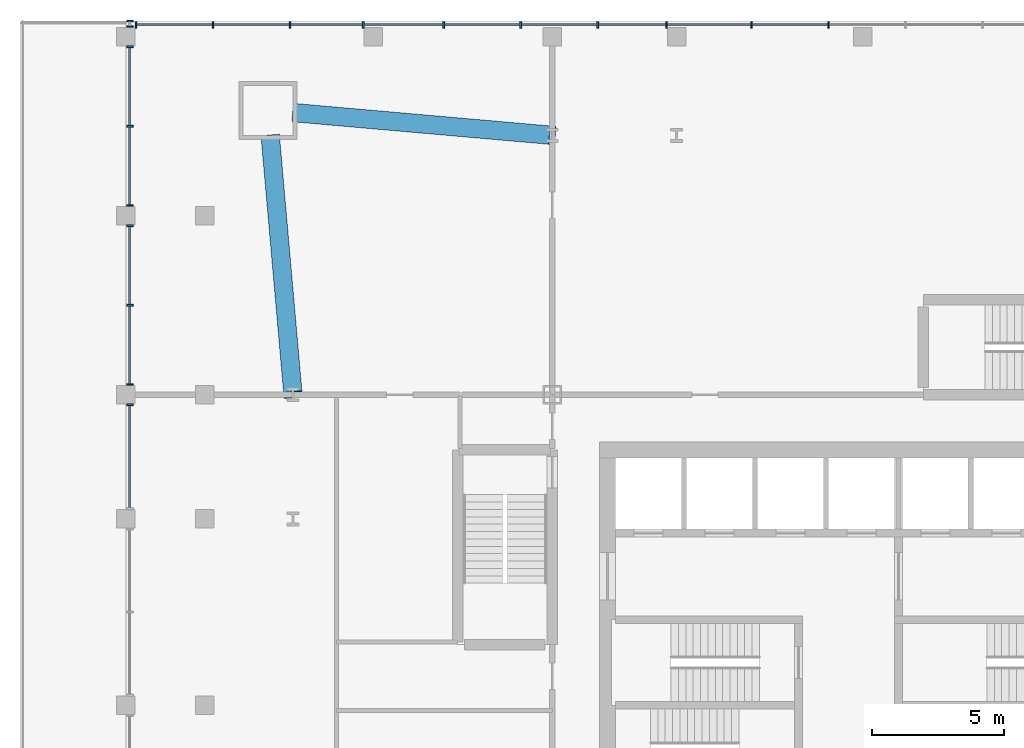
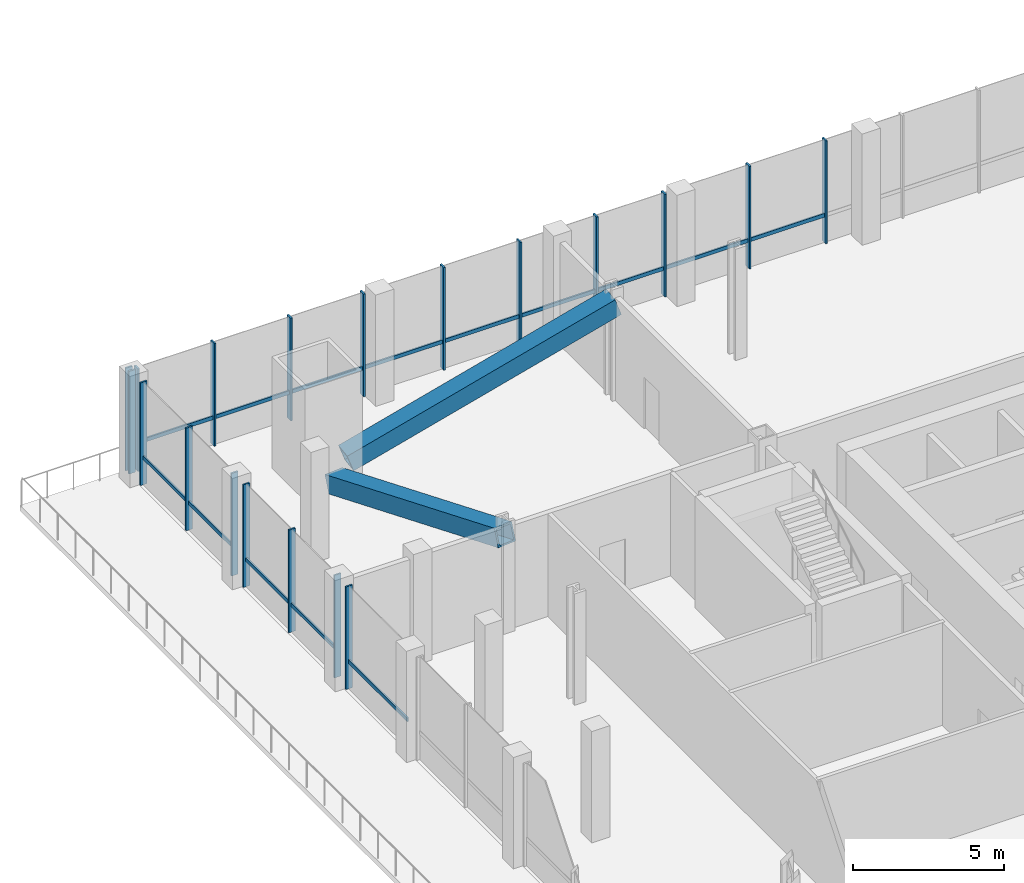
# One storey, part 4 of 15: 35 members, 5 elements without a shape of their own.
"""IFC4 building model written with IfcOpenShell, lengths in metres."""

from ifc_helpers import new_model, si_unit, direction, frame, origin, origin_2d, place, context, subcontext, project, spatial, rectangle, hollow_rectangle, extrude, material, material_profile, profile_set, type_object, element, aggregate, save


model = new_model("IFC4")

# Units and contexts
model_context = context("Model", 3, precision=1e-05, world=origin(), true_north=direction((0.0, 1.0)))
body_context = subcontext(model_context, "Body", "Model", "MODEL_VIEW")
ifc_project = project(units=[si_unit("LENGTHUNIT", "METRE"), si_unit("AREAUNIT", "SQUARE_METRE"), si_unit("VOLUMEUNIT", "CUBIC_METRE"), si_unit("PLANEANGLEUNIT", "RADIAN"), si_unit("MASSUNIT", "GRAM", prefix="KILO")], contexts=[model_context])

# Site, building, storey
site_placement = place(None, origin())
site = spatial("IfcSite", under=ifc_project, at=site_placement, CompositionType="ELEMENT")
building_placement = place(site_placement, origin())
building = spatial("IfcBuilding", under=site, at=building_placement, Name="Turquesa Mirador Hotel Tower", CompositionType="ELEMENT")
storey_placement = place(building_placement, frame((0.0, 0.0, 16.0)))
storey = spatial("IfcBuildingStorey", under=building, at=storey_placement, Name="L03", CompositionType="ELEMENT", Elevation=16.0)

# Curtain wall, members
ifc_material_1 = material(Name="Aluminium extrusion", Category="aluminium")
curtain_wall_type = type_object("IfcCurtainWallType", Name="CW-3 PODIUM UPPER CURTAIN WALL", PredefinedType="USERDEFINED", material=ifc_material_1)
curtain_wall_1_placement = place(storey_placement, origin())
curtain_wall_1 = element("IfcCurtainWall", 1, at=curtain_wall_1_placement, inside=storey, type_object=curtain_wall_type, Name="CW-3 PODIUM UPPER CURTAIN WALL L03", ObjectType="CURTAIN WALL", PredefinedType="USERDEFINED")
ifc_material_2 = material(Name="Aluminium extrusion", Category="aluminium")
ifc_material_profile_1 = material_profile(ifc_material_2, rectangle(XDim=0.06494140625, YDim=0.25, at=origin_2d()), Name="MULLION 65X250")
ifc_profile_set_1 = profile_set([ifc_material_profile_1], Name="Aluminium extrusion")
member_type_1 = type_object("IfcMemberType", Name="CW MULLION 65X250", PredefinedType="MULLION", material=ifc_profile_set_1)
member_1_placement = place(storey_placement, frame((53.692138671875, 70.85009765625, 0.0), z_axis=(0.0, 0.0, 1.0), x_axis=(-1.0, 0.0, 0.0)))
member_1 = element("IfcMember", 2, at=member_1_placement, type_object=member_type_1, Name="Mullion", PredefinedType="MULLION", context=body_context, shape_type="SweptSolid", body=[
    extrude(rectangle(XDim=0.06494140625, YDim=0.25, at=origin_2d()), origin(), (0.0, 0.0, 1.0), 4.14990234375),
])
member_2_placement = place(storey_placement, frame((50.769287109375, 70.85009765625, 0.0), z_axis=(0.0, 0.0, 1.0), x_axis=(-1.0, 0.0, 0.0)))
member_2 = element("IfcMember", 3, at=member_2_placement, type_object=member_type_1, Name="Mullion", PredefinedType="MULLION", context=body_context, shape_type="SweptSolid", body=[
    extrude(rectangle(XDim=0.06494140625, YDim=0.25, at=origin_2d()), origin(), (0.0, 0.0, 1.0), 4.14990234375),
])
member_3_placement = place(storey_placement, frame((47.535400390625, 70.85009765625, 0.0), z_axis=(0.0, 0.0, 1.0), x_axis=(-1.0, 0.0, 0.0)))
member_3 = element("IfcMember", 4, at=member_3_placement, type_object=member_type_1, Name="Mullion", PredefinedType="MULLION", context=body_context, shape_type="SweptSolid", body=[
    extrude(rectangle(XDim=0.06494140625, YDim=0.25, at=origin_2d()), origin(), (0.0, 0.0, 1.0), 4.14990234375),
])
member_4_placement = place(storey_placement, frame((44.923095703125, 70.85009765625, 0.0), z_axis=(0.0, 0.0, 1.0), x_axis=(-1.0, 0.0, 0.0)))
member_4 = element("IfcMember", 5, at=member_4_placement, type_object=member_type_1, Name="Mullion", PredefinedType="MULLION", context=body_context, shape_type="SweptSolid", body=[
    extrude(rectangle(XDim=0.06494140625, YDim=0.25, at=origin_2d()), origin(), (0.0, 0.0, 1.0), 4.14990234375),
])
member_5_placement = place(storey_placement, frame((42.0, 70.85009765625, 0.0), z_axis=(0.0, 0.0, 1.0), x_axis=(-1.0, 0.0, 0.0)))
member_5 = element("IfcMember", 6, at=member_5_placement, type_object=member_type_1, Name="Mullion", PredefinedType="MULLION", context=body_context, shape_type="SweptSolid", body=[
    extrude(rectangle(XDim=0.06494140625, YDim=0.25, at=origin_2d()), origin(), (0.0, 0.0, 1.0), 4.14990234375),
])
member_6_placement = place(storey_placement, frame((39.076904296875, 70.85009765625, 0.0), z_axis=(0.0, 0.0, 1.0), x_axis=(-1.0, 0.0, 0.0)))
member_6 = element("IfcMember", 7, at=member_6_placement, type_object=member_type_1, Name="Mullion", PredefinedType="MULLION", context=body_context, shape_type="SweptSolid", body=[
    extrude(rectangle(XDim=0.06494140625, YDim=0.25, at=origin_2d()), origin(), (0.0, 0.0, 1.0), 4.14990234375),
])
member_7_placement = place(storey_placement, frame((36.015380859375, 70.85009765625, 0.0), z_axis=(0.0, 0.0, 1.0), x_axis=(-1.0, 0.0, 0.0)))
member_7 = element("IfcMember", 8, at=member_7_placement, type_object=member_type_1, Name="Mullion", PredefinedType="MULLION", context=body_context, shape_type="SweptSolid", body=[
    extrude(rectangle(XDim=0.06494140625, YDim=0.25, at=origin_2d()), origin(), (0.0, 0.0, 1.0), 4.14990234375),
])
member_8_placement = place(storey_placement, frame((33.230712890625, 70.85009765625, 0.0), z_axis=(0.0, 0.0, 1.0), x_axis=(-1.0, 0.0, 0.0)))
member_8 = element("IfcMember", 9, at=member_8_placement, type_object=member_type_1, Name="Mullion", PredefinedType="MULLION", context=body_context, shape_type="SweptSolid", body=[
    extrude(rectangle(XDim=0.06494140625, YDim=0.25, at=origin_2d()), origin(), (0.0, 0.0, 1.0), 4.14990234375),
])
member_9_placement = place(storey_placement, frame((30.3076171875, 70.85009765625, 0.0), z_axis=(0.0, 0.0, 1.0), x_axis=(-1.0, 0.0, 0.0)))
member_9 = element("IfcMember", 10, at=member_9_placement, type_object=member_type_1, Name="Mullion", PredefinedType="MULLION", context=body_context, shape_type="SweptSolid", body=[
    extrude(rectangle(XDim=0.06494140625, YDim=0.25, at=origin_2d()), origin(), (0.0, 0.0, 1.0), 4.14990234375),
])
member_10_placement = place(storey_placement, frame((27.384521484375, 70.85009765625, 0.0), z_axis=(0.0, 0.0, 1.0), x_axis=(-1.0, 0.0, 0.0)))
member_10 = element("IfcMember", 11, at=member_10_placement, type_object=member_type_1, Name="Mullion", PredefinedType="MULLION", context=body_context, shape_type="SweptSolid", body=[
    extrude(rectangle(XDim=0.06494140625, YDim=0.25, at=origin_2d()), origin(), (0.0, 0.0, 1.0), 4.14990234375),
])

curtain_wall_2_placement = place(storey_placement, origin())
curtain_wall_2 = element("IfcCurtainWall", 12, at=curtain_wall_2_placement, inside=storey, type_object=curtain_wall_type, Name="CW-3 PODIUM UPPER CURTAIN WALL L03", ObjectType="CURTAIN WALL", PredefinedType="USERDEFINED")
member_11_placement = place(storey_placement, frame((27.14990234375, 71.0, 0.0), z_axis=(0.0, 0.0, 1.0), x_axis=(0.0, -1.0, 0.0)))
member_11 = element("IfcMember", 13, at=member_11_placement, type_object=member_type_1, Name="Mullion", PredefinedType="MULLION", context=body_context, shape_type="SweptSolid", body=[
    extrude(rectangle(XDim=0.06494140625, YDim=0.25, at=origin_2d()), origin(), (0.0, 0.0, 1.0), 4.14990234375),
])
member_12_placement = place(storey_placement, frame((27.14990234375, 70.784423828125, 0.0), z_axis=(0.0, 0.0, 1.0), x_axis=(0.0, -1.0, 0.0)))
member_12 = element("IfcMember", 14, at=member_12_placement, type_object=member_type_1, Name="Mullion", PredefinedType="MULLION", context=body_context, shape_type="SweptSolid", body=[
    extrude(rectangle(XDim=0.06494140625, YDim=0.25, at=origin_2d()), origin(), (0.0, 0.0, 1.0), 4.14990234375),
])
aggregate(curtain_wall_2, [member_11, member_12])

curtain_wall_3_placement = place(storey_placement, origin())
curtain_wall_3 = element("IfcCurtainWall", 15, at=curtain_wall_3_placement, inside=storey, type_object=curtain_wall_type, Name="CW-3 PODIUM UPPER CURTAIN WALL L03", ObjectType="CURTAIN WALL", PredefinedType="USERDEFINED")
member_13_placement = place(storey_placement, frame((27.14990234375, 70.015380859375, 0.0), z_axis=(0.0, 0.0, 1.0), x_axis=(0.0, -1.0, 0.0)))
member_13 = element("IfcMember", 16, at=member_13_placement, type_object=member_type_1, Name="Mullion", PredefinedType="MULLION", context=body_context, shape_type="SweptSolid", body=[
    extrude(rectangle(XDim=0.06494140625, YDim=0.25, at=origin_2d()), origin(), (0.0, 0.0, 1.0), 4.14990234375),
])
member_14_placement = place(storey_placement, frame((27.14990234375, 67.0, 0.0), z_axis=(0.0, 0.0, 1.0), x_axis=(0.0, -1.0, 0.0)))
member_14 = element("IfcMember", 17, at=member_14_placement, type_object=member_type_1, Name="Mullion", PredefinedType="MULLION", context=body_context, shape_type="SweptSolid", body=[
    extrude(rectangle(XDim=0.06494140625, YDim=0.25, at=origin_2d()), origin(), (0.0, 0.0, 1.0), 4.14990234375),
])
member_15_placement = place(storey_placement, frame((27.14990234375, 63.984619140625, 0.0), z_axis=(0.0, 0.0, 1.0), x_axis=(0.0, -1.0, 0.0)))
member_15 = element("IfcMember", 18, at=member_15_placement, type_object=member_type_1, Name="Mullion", PredefinedType="MULLION", context=body_context, shape_type="SweptSolid", body=[
    extrude(rectangle(XDim=0.06494140625, YDim=0.25, at=origin_2d()), origin(), (0.0, 0.0, 1.0), 4.14990234375),
])

curtain_wall_4_placement = place(storey_placement, origin())
curtain_wall_4 = element("IfcCurtainWall", 19, at=curtain_wall_4_placement, inside=storey, type_object=curtain_wall_type, Name="CW-3 PODIUM UPPER CURTAIN WALL L03", ObjectType="CURTAIN WALL", PredefinedType="USERDEFINED")
member_16_placement = place(storey_placement, frame((27.14990234375, 63.215576171875, 0.0), z_axis=(0.0, 0.0, 1.0), x_axis=(0.0, -1.0, 0.0)))
member_16 = element("IfcMember", 20, at=member_16_placement, type_object=member_type_1, Name="Mullion", PredefinedType="MULLION", context=body_context, shape_type="SweptSolid", body=[
    extrude(rectangle(XDim=0.06494140625, YDim=0.25, at=origin_2d()), origin(), (0.0, 0.0, 1.0), 4.14990234375),
])
member_17_placement = place(storey_placement, frame((27.14990234375, 60.199951171875, 0.0), z_axis=(0.0, 0.0, 1.0), x_axis=(0.0, -1.0, 0.0)))
member_17 = element("IfcMember", 21, at=member_17_placement, type_object=member_type_1, Name="Mullion", PredefinedType="MULLION", context=body_context, shape_type="SweptSolid", body=[
    extrude(rectangle(XDim=0.06494140625, YDim=0.25, at=origin_2d()), origin(), (0.0, 0.0, 1.0), 4.14990234375),
])
member_18_placement = place(storey_placement, frame((27.14990234375, 57.1845703125, 0.0), z_axis=(0.0, 0.0, 1.0), x_axis=(0.0, -1.0, 0.0)))
member_18 = element("IfcMember", 22, at=member_18_placement, type_object=member_type_1, Name="Mullion", PredefinedType="MULLION", context=body_context, shape_type="SweptSolid", body=[
    extrude(rectangle(XDim=0.06494140625, YDim=0.25, at=origin_2d()), origin(), (0.0, 0.0, 1.0), 4.14990234375),
])

# Curtain wall, member
curtain_wall_5_placement = place(storey_placement, origin())
curtain_wall_5 = element("IfcCurtainWall", 23, at=curtain_wall_5_placement, inside=storey, type_object=curtain_wall_type, Name="CW-3 PODIUM UPPER CURTAIN WALL L03", ObjectType="CURTAIN WALL", PredefinedType="USERDEFINED")
member_19_placement = place(storey_placement, frame((27.14990234375, 56.41552734375, 0.0), z_axis=(0.0, 0.0, 1.0), x_axis=(0.0, -1.0, 0.0)))
member_19 = element("IfcMember", 24, at=member_19_placement, type_object=member_type_1, Name="Mullion", PredefinedType="MULLION", context=body_context, shape_type="SweptSolid", body=[
    extrude(rectangle(XDim=0.06494140625, YDim=0.25, at=origin_2d()), origin(), (0.0, 0.0, 1.0), 4.14990234375),
])

# Member
ifc_material_3 = material(Name="Aluminium extrusion", Category="aluminium")
ifc_material_profile_2 = material_profile(ifc_material_3, rectangle(XDim=0.06494140625, YDim=0.14990234375, at=origin_2d()), Name="TRANSOM 65X150")
ifc_profile_set_2 = profile_set([ifc_material_profile_2], Name="Aluminium extrusion")
member_type_2 = type_object("IfcMemberType", Name="CW TRANSOM 65X150", PredefinedType="USERDEFINED", material=ifc_profile_set_2)
member_20_placement = place(storey_placement, frame((53.65966796875, 70.85009765625, 1.10009765625), z_axis=(-1.0, 0.0, 0.0), x_axis=(0.0, -1.0, 0.0)))
member_20 = element("IfcMember", 25, at=member_20_placement, type_object=member_type_2, Name="Transom", ObjectType="TRANSOM", PredefinedType="USERDEFINED", context=body_context, shape_type="SweptSolid", body=[
    extrude(rectangle(XDim=0.06494140625, YDim=0.14990234375, at=origin_2d()), origin(), (0.0, 0.0, 1.0), 2.85791015625),
])

member_21_placement = place(storey_placement, frame((50.736572265625, 70.85009765625, 1.10009765625), z_axis=(-1.0, 0.0, 0.0), x_axis=(0.0, -1.0, 0.0)))
member_21 = element("IfcMember", 26, at=member_21_placement, type_object=member_type_2, Name="Transom", ObjectType="TRANSOM", PredefinedType="USERDEFINED", context=body_context, shape_type="SweptSolid", body=[
    extrude(rectangle(XDim=0.06494140625, YDim=0.14990234375, at=origin_2d()), origin(), (0.0, 0.0, 1.0), 3.16845703125),
])

member_22_placement = place(storey_placement, frame((47.5029296875, 70.85009765625, 1.10009765625), z_axis=(-1.0, 0.0, 0.0), x_axis=(0.0, -1.0, 0.0)))
member_22 = element("IfcMember", 27, at=member_22_placement, type_object=member_type_2, Name="Transom", ObjectType="TRANSOM", PredefinedType="USERDEFINED", context=body_context, shape_type="SweptSolid", body=[
    extrude(rectangle(XDim=0.06494140625, YDim=0.14990234375, at=origin_2d()), origin(), (0.0, 0.0, 1.0), 2.54736328125),
])

member_23_placement = place(storey_placement, frame((44.890380859375, 70.85009765625, 1.10009765625), z_axis=(-1.0, 0.0, 0.0), x_axis=(0.0, -1.0, 0.0)))
member_23 = element("IfcMember", 28, at=member_23_placement, type_object=member_type_2, Name="Transom", ObjectType="TRANSOM", PredefinedType="USERDEFINED", context=body_context, shape_type="SweptSolid", body=[
    extrude(rectangle(XDim=0.06494140625, YDim=0.14990234375, at=origin_2d()), origin(), (0.0, 0.0, 1.0), 2.85791015625),
])

member_24_placement = place(storey_placement, frame((41.967529296875, 70.85009765625, 1.10009765625), z_axis=(-1.0, 0.0, 0.0), x_axis=(0.0, -1.0, 0.0)))
member_24 = element("IfcMember", 29, at=member_24_placement, type_object=member_type_2, Name="Transom", ObjectType="TRANSOM", PredefinedType="USERDEFINED", context=body_context, shape_type="SweptSolid", body=[
    extrude(rectangle(XDim=0.06494140625, YDim=0.14990234375, at=origin_2d()), origin(), (0.0, 0.0, 1.0), 2.858154296875),
])

member_25_placement = place(storey_placement, frame((39.04443359375, 70.85009765625, 1.10009765625), z_axis=(-1.0, 0.0, 0.0), x_axis=(0.0, -1.0, 0.0)))
member_25 = element("IfcMember", 30, at=member_25_placement, type_object=member_type_2, Name="Transom", ObjectType="TRANSOM", PredefinedType="USERDEFINED", context=body_context, shape_type="SweptSolid", body=[
    extrude(rectangle(XDim=0.06494140625, YDim=0.14990234375, at=origin_2d()), origin(), (0.0, 0.0, 1.0), 2.996337890625),
])

member_26_placement = place(storey_placement, frame((35.98291015625, 70.85009765625, 1.10009765625), z_axis=(-1.0, 0.0, 0.0), x_axis=(0.0, -1.0, 0.0)))
member_26 = element("IfcMember", 31, at=member_26_placement, type_object=member_type_2, Name="Transom", ObjectType="TRANSOM", PredefinedType="USERDEFINED", context=body_context, shape_type="SweptSolid", body=[
    extrude(rectangle(XDim=0.06494140625, YDim=0.14990234375, at=origin_2d()), origin(), (0.0, 0.0, 1.0), 2.7197265625),
])

member_27_placement = place(storey_placement, frame((33.1982421875, 70.85009765625, 1.10009765625), z_axis=(-1.0, 0.0, 0.0), x_axis=(0.0, -1.0, 0.0)))
member_27 = element("IfcMember", 32, at=member_27_placement, type_object=member_type_2, Name="Transom", ObjectType="TRANSOM", PredefinedType="USERDEFINED", context=body_context, shape_type="SweptSolid", body=[
    extrude(rectangle(XDim=0.06494140625, YDim=0.14990234375, at=origin_2d()), origin(), (0.0, 0.0, 1.0), 2.858154296875),
])

member_28_placement = place(storey_placement, frame((30.275146484375, 70.85009765625, 1.10009765625), z_axis=(-1.0, 0.0, 0.0), x_axis=(0.0, -1.0, 0.0)))
member_28 = element("IfcMember", 33, at=member_28_placement, type_object=member_type_2, Name="Transom", ObjectType="TRANSOM", PredefinedType="USERDEFINED", context=body_context, shape_type="SweptSolid", body=[
    extrude(rectangle(XDim=0.06494140625, YDim=0.14990234375, at=origin_2d()), origin(), (0.0, 0.0, 1.0), 2.858154296875),
])

aggregate(curtain_wall_1, [member_1, member_2, member_3, member_4, member_5, member_6, member_7, member_8, member_9, member_10, member_20, member_21, member_22, member_23, member_24, member_25, member_26, member_27, member_28])

member_29_placement = place(storey_placement, frame((27.14990234375, 69.98291015625, 1.10009765625), z_axis=(0.0, -1.0, 0.0), x_axis=(1.0, 0.0, 0.0)))
member_29 = element("IfcMember", 34, at=member_29_placement, type_object=member_type_2, Name="Transom", ObjectType="TRANSOM", PredefinedType="USERDEFINED", context=body_context, shape_type="SweptSolid", body=[
    extrude(rectangle(XDim=0.06494140625, YDim=0.14990234375, at=origin_2d()), origin(), (0.0, 0.0, 1.0), 2.950439453125),
])

member_30_placement = place(storey_placement, frame((27.14990234375, 66.967529296875, 1.10009765625), z_axis=(0.0, -1.0, 0.0), x_axis=(1.0, 0.0, 0.0)))
member_30 = element("IfcMember", 35, at=member_30_placement, type_object=member_type_2, Name="Transom", ObjectType="TRANSOM", PredefinedType="USERDEFINED", context=body_context, shape_type="SweptSolid", body=[
    extrude(rectangle(XDim=0.06494140625, YDim=0.14990234375, at=origin_2d()), origin(), (0.0, 0.0, 1.0), 2.950439453125),
])

aggregate(curtain_wall_3, [member_13, member_14, member_15, member_29, member_30])

member_31_placement = place(storey_placement, frame((27.14990234375, 63.18310546875, 1.10009765625), z_axis=(0.0, -1.0, 0.0), x_axis=(1.0, 0.0, 0.0)))
member_31 = element("IfcMember", 36, at=member_31_placement, type_object=member_type_2, Name="Transom", ObjectType="TRANSOM", PredefinedType="USERDEFINED", context=body_context, shape_type="SweptSolid", body=[
    extrude(rectangle(XDim=0.06494140625, YDim=0.14990234375, at=origin_2d()), origin(), (0.0, 0.0, 1.0), 2.95068359375),
])

member_32_placement = place(storey_placement, frame((27.14990234375, 60.16748046875, 1.10009765625), z_axis=(0.0, -1.0, 0.0), x_axis=(1.0, 0.0, 0.0)))
member_32 = element("IfcMember", 37, at=member_32_placement, type_object=member_type_2, Name="Transom", ObjectType="TRANSOM", PredefinedType="USERDEFINED", context=body_context, shape_type="SweptSolid", body=[
    extrude(rectangle(XDim=0.06494140625, YDim=0.14990234375, at=origin_2d()), origin(), (0.0, 0.0, 1.0), 2.950439453125),
])

aggregate(curtain_wall_4, [member_16, member_17, member_18, member_31, member_32])

member_33_placement = place(storey_placement, frame((27.14990234375, 56.383056640625, 1.10009765625), z_axis=(0.0, -1.0, 0.0), x_axis=(1.0, 0.0, 0.0)))
member_33 = element("IfcMember", 38, at=member_33_placement, type_object=member_type_2, Name="Transom", ObjectType="TRANSOM", PredefinedType="USERDEFINED", context=body_context, shape_type="SweptSolid", body=[
    extrude(rectangle(XDim=0.06494140625, YDim=0.14990234375, at=origin_2d()), origin(), (0.0, 0.0, 1.0), 3.885986328125),
])

aggregate(curtain_wall_5, [member_19, member_33])

# Members
ifc_material_4 = material(Name="Steel ASTM A572 Grade 50", Category="steel")
ifc_material_profile_3 = material_profile(ifc_material_4, hollow_rectangle(XDim=0.699951171875, YDim=0.699951171875, WallThickness=0.06005859375, at=origin_2d()), Name="BOX700X700X60")
ifc_profile_set_3 = profile_set([ifc_material_profile_3], Name="Steel ASTM A572 Grade 50")
member_type_3 = type_object("IfcMemberType", Name="PODIUM BRACE BOX700X700X60", PredefinedType="BRACE", material=ifc_profile_set_3)
for number, where, z_axis, x_axis, name in (
    (39, (33.449951171875, 67.507568359375, 0.369384765625), (0.940078203695, -0.082694679727, 0.330778718908), (0.087627369437, 0.996153323603, 0.0), "Podium brace N"),
    (40, (32.492431640625, 66.550048828125, 0.369384765625), (0.082694679727, -0.940078203695, 0.330778718908), (0.996153323603, 0.087627369437, 0.0), "Podium brace W"),
):
    element("IfcMember", number, at=place(storey_placement, frame(where, z_axis=z_axis, x_axis=x_axis)), inside=storey, type_object=member_type_3, Name=name, PredefinedType="BRACE", context=body_context, shape_type="SweptSolid", body=[
        extrude(hollow_rectangle(XDim=0.699951171875, YDim=0.699951171875, WallThickness=0.06005859375, at=origin_2d()), origin(), (0.0, 0.0, 1.0), 10.37158203125),
    ])

save(model, "model.ifc")
